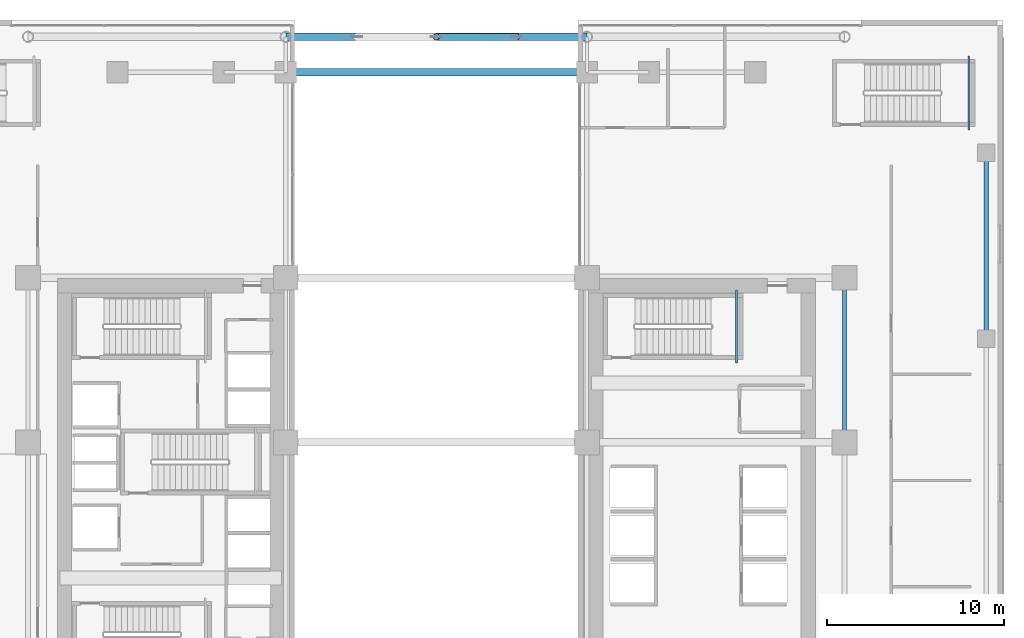
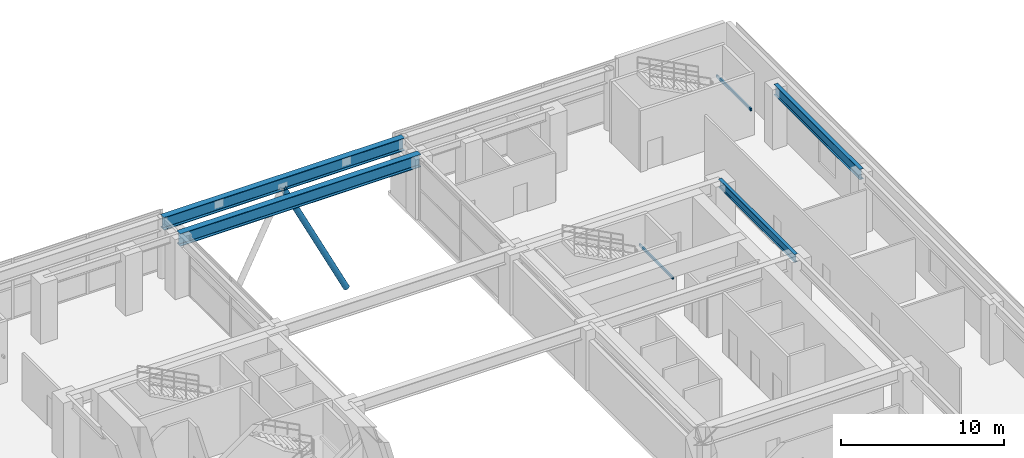
# One storey, part 18 of 30: 6 beams, 1 member.
"""IFC4 building model written with IfcOpenShell, lengths in metres."""

from ifc_helpers import new_model, si_unit, direction, frame, origin, origin_2d, place, context, subcontext, project, spatial, hollow_rectangle, hollow_circle, i_section, extrude, source, transform, mapped, material, material_profile, profile_set, type_object, element, save


model = new_model("IFC4")

# Units and contexts
model_context = context("Model", 3, precision=1e-05, world=origin(), true_north=direction((0.0, 1.0)))
body_context = subcontext(model_context, "Body", "Model", "MODEL_VIEW")
ifc_project = project(units=[si_unit("LENGTHUNIT", "METRE"), si_unit("AREAUNIT", "SQUARE_METRE"), si_unit("VOLUMEUNIT", "CUBIC_METRE"), si_unit("PLANEANGLEUNIT", "RADIAN"), si_unit("MASSUNIT", "GRAM", prefix="KILO")], contexts=[model_context])

# Site, building, storey
site_placement = place(None, origin())
site = spatial("IfcSite", under=ifc_project, at=site_placement, CompositionType="ELEMENT")
building_placement = place(site_placement, origin())
building = spatial("IfcBuilding", under=site, at=building_placement, Name="Ocotamira Hotel", CompositionType="ELEMENT")
storey_placement = place(building_placement, frame((0.0, 0.0, 19.199951171875)))
storey = spatial("IfcBuildingStorey", under=building, at=storey_placement, Name="L04", CompositionType="ELEMENT", Elevation=19.199951171875)

# Beams
ifc_material_1 = material(Name="Steel ASTM A500 Grade C", Category="steel")
ifc_material_profile_1 = material_profile(ifc_material_1, hollow_rectangle(XDim=0.10009765625, YDim=0.199951171875, WallThickness=0.008056640625, at=origin_2d()), Name="HSS200X100X8")
ifc_profile_set_1 = profile_set([ifc_material_profile_1], Name="Steel ASTM A500 Grade C")
beam_type_1 = type_object("IfcBeamType", Name="BM-STLDG-HSS200", PredefinedType="BEAM", material=ifc_profile_set_1)
shared_shape_1 = source(origin(), body_context, "Body", "SweptSolid", [
    extrude(hollow_rectangle(XDim=0.10009765625, YDim=0.199951171875, WallThickness=0.008056640625, at=origin_2d()), origin(), (0.0, 0.0, 1.0), 4.1201171875),
])
beam_1_placement = place(storey_placement, frame((48.949951171875, 32.6298828125, 2.10009765625), z_axis=(0.0, 1.0, 0.0), x_axis=(-1.0, 0.0, 0.0)))
element("IfcBeam", 1, at=beam_1_placement, inside=storey, type_object=beam_type_1, Name="L04 Stair ST-4 Landing Bearer 1", PredefinedType="BEAM", context=body_context, shape_type="MappedRepresentation", body=[
    mapped(shared_shape_1, transform((0.0, 0.0, 0.0), scale=1.0)),
])
shared_shape_2 = source(origin(), body_context, "Body", "SweptSolid", [
    extrude(hollow_rectangle(XDim=0.10009765625, YDim=0.199951171875, WallThickness=0.008056640625, at=origin_2d()), origin(), (0.0, 0.0, 1.0), 4.199951171875),
])
beam_2_placement = place(storey_placement, frame((62.06005859375, 45.780029296875, 2.10009765625), z_axis=(0.0, 1.0, 0.0), x_axis=(-1.0, 0.0, 0.0)))
element("IfcBeam", 2, at=beam_2_placement, inside=storey, type_object=beam_type_1, Name="L04 Stair ST-6 Landing Bearer 1", PredefinedType="BEAM", context=body_context, shape_type="MappedRepresentation", body=[
    mapped(shared_shape_2, transform((0.0, 0.0, 0.0), scale=1.0)),
])
ifc_material_2 = material(Name="Steel ASTM A992 Grade 50", Category="steel")
ifc_material_profile_2 = material_profile(ifc_material_2, i_section(OverallWidth=0.26611328125, OverallDepth=0.779052734375, WebThickness=0.0166015625, FlangeThickness=0.030029296875, FilletRadius=0.01806640625, at=origin_2d()), Name="W30X148")
ifc_profile_set_2 = profile_set([ifc_material_profile_2], Name="Steel ASTM A992 Grade 50")
beam_type_2 = type_object("IfcBeamType", Name="BM-GIRD-W30X148", PredefinedType="BEAM", material=ifc_profile_set_2)
shared_shape_3 = source(origin(), body_context, "Body", "SweptSolid", [
    extrude(i_section(OverallWidth=0.26611328125, OverallDepth=0.779052734375, WebThickness=0.0166015625, FlangeThickness=0.030029296875, FilletRadius=0.01806640625, at=origin_2d()), origin(), (0.0, 0.0, 1.0), 10.5),
])
beam_3_placement = place(storey_placement, frame((63.050048828125, 34.0, 4.090576171875), z_axis=(0.0, 1.0, 0.0), x_axis=(-1.0, 0.0, 0.0)))
element("IfcBeam", 3, at=beam_3_placement, inside=storey, type_object=beam_type_2, Name="L04 Beam X63.05 Y34-44.5", PredefinedType="BEAM", context=body_context, shape_type="MappedRepresentation", body=[
    mapped(shared_shape_3, transform((0.0, 0.0, 0.0), scale=1.0)),
])
ifc_material_profile_3 = material_profile(ifc_material_2, i_section(OverallWidth=0.22998046875, OverallDepth=0.616943359375, WebThickness=0.01318359375, FlangeThickness=0.022216796875, FilletRadius=0.012939453125, at=origin_2d()), Name="W24X94")
ifc_profile_set_3 = profile_set([ifc_material_profile_3], Name="Steel ASTM A992 Grade 50")
beam_type_3 = type_object("IfcBeamType", Name="BM-PRIM-W24X94", PredefinedType="BEAM", material=ifc_profile_set_3)
shared_shape_4 = source(origin(), body_context, "Body", "SweptSolid", [
    extrude(i_section(OverallWidth=0.22998046875, OverallDepth=0.616943359375, WebThickness=0.01318359375, FlangeThickness=0.022216796875, FilletRadius=0.012939453125, at=origin_2d()), origin(), (0.0, 0.0, 1.0), 9.300048828125),
])
beam_4_placement = place(storey_placement, frame((55.050048828125, 28.14990234375, 4.171630859375), z_axis=(0.0, 1.0, 0.0), x_axis=(-1.0, 0.0, 0.0)))
element("IfcBeam", 4, at=beam_4_placement, inside=storey, type_object=beam_type_3, Name="L04 Beam X55.05 Y28.15-37.45", PredefinedType="BEAM", context=body_context, shape_type="MappedRepresentation", body=[
    mapped(shared_shape_4, transform((0.0, 0.0, 0.0), scale=1.0)),
])
ifc_material_3 = material(Name="Steel ASTM A913 Grade 65", Category="steel")
ifc_material_profile_4 = material_profile(ifc_material_3, i_section(OverallWidth=0.423095703125, OverallDepth=0.947998046875, WebThickness=0.02392578125, FlangeThickness=0.042724609375, FilletRadius=0.02392578125, at=origin_2d()), Name="W36X302")
ifc_profile_set_4 = profile_set([ifc_material_profile_4], Name="Steel ASTM A913 Grade 65")
beam_type_4 = type_object("IfcBeamType", Name="BM-TRUSS-W36X302", PredefinedType="BEAM", material=ifc_profile_set_4)
shared_shape_5 = source(origin(), body_context, "Body", "SweptSolid", [
    extrude(i_section(OverallWidth=0.423095703125, OverallDepth=0.947998046875, WebThickness=0.02392578125, FlangeThickness=0.042724609375, FilletRadius=0.02392578125, at=origin_2d()), origin(), (0.0, 0.0, 1.0), 17.0),
])
for number, where, z_axis, x_axis, name in (
    (5, (23.5, 49.050048828125, 4.006103515625), (1.0, 0.0, 0.0), (0.0, 1.0, 0.0), "L04 Girder Y49.05 X23.5-40.5"),
    (6, (23.5, 51.050048828125, 4.006103515625), (1.0, 0.0, 0.0), (0.0, 1.0, 0.0), "L04 Girder Y51.05 X23.5-40.5"),
):
    element("IfcBeam", number, at=place(storey_placement, frame(where, z_axis=z_axis, x_axis=x_axis)), inside=storey, type_object=beam_type_4, Name=name, PredefinedType="BEAM", context=body_context, shape_type="MappedRepresentation", body=[
        mapped(shared_shape_5, transform((0.0, 0.0, 0.0), scale=1.0)),
    ])

# Member
ifc_material_4 = material(Name="Pale-metal coated steel ASTM A500 Grade C", Category="steel")
ifc_material_profile_5 = material_profile(ifc_material_4, hollow_circle(Radius=0.202880859375, WallThickness=0.01611328125, at=origin_2d()), Name="CHS406X16")
ifc_profile_set_5 = profile_set([ifc_material_profile_5], Name="Pale-metal coated steel ASTM A500 Grade C")
member_type = type_object("IfcMemberType", Name="MEM-ARCH-CHS406", PredefinedType="CHORD", material=ifc_profile_set_5)
shared_shape_6 = source(origin(), body_context, "Body", "SweptSolid", [
    extrude(hollow_circle(Radius=0.202880859375, WallThickness=0.01611328125, at=origin_2d()), origin(), (0.0, 0.0, 1.0), 10.107177734375),
])
member_placement = place(storey_placement, frame((32.0, 51.050048828125, 3.650146484375), z_axis=(0.445231758648, 0.0, -0.895415367911), x_axis=(0.0, 1.0, 0.0)))
element("IfcMember", 7, at=member_placement, inside=storey, type_object=member_type, Name="Giant Portal Arch Rib N3", PredefinedType="CHORD", context=body_context, shape_type="MappedRepresentation", body=[
    mapped(shared_shape_6, transform((0.0, 0.0, 0.0), scale=1.0)),
])

save(model, "model.ifc")
